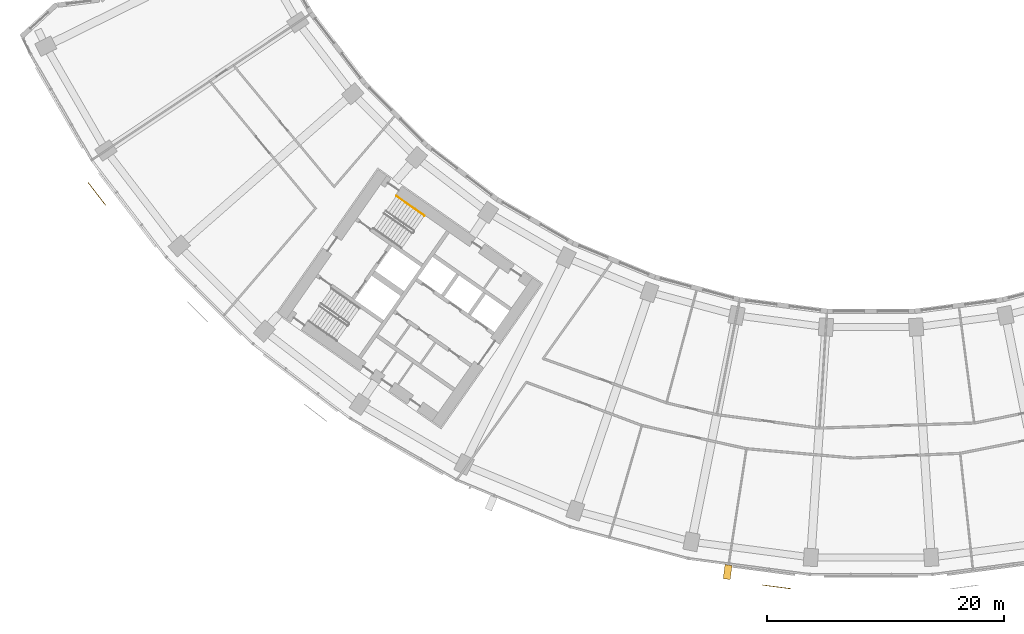
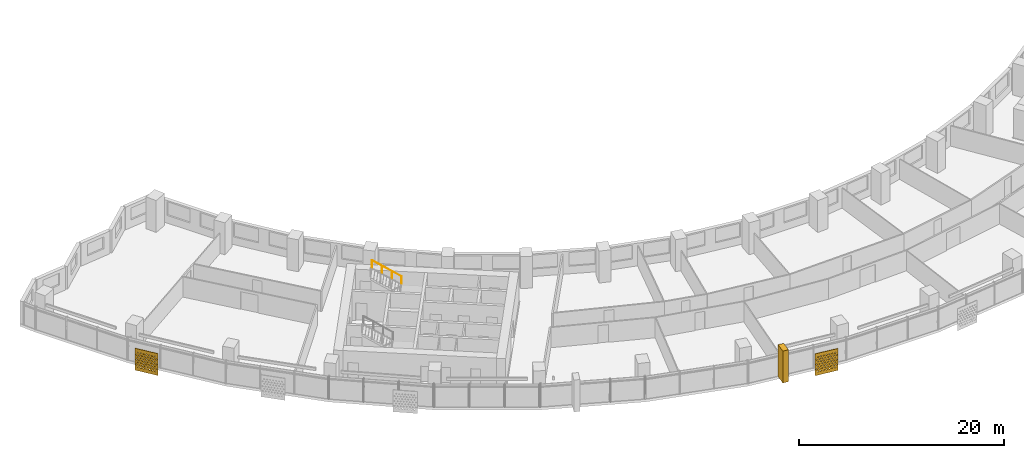
# One storey, part 26 of 30: 3 shading devices, 1 railing.
"""IFC4 building model written with IfcOpenShell, lengths in metres."""

from ifc_helpers import new_model, si_unit, direction, frame, origin, origin_2d, place, context, subcontext, project, spatial, polyline, circle, outline, extrude, material, material_profile, profile_set, type_object, element, save


model = new_model("IFC4")

# Units and contexts
model_context = context("Model", 3, precision=1e-05, world=origin(), true_north=direction((0.0, 1.0)))
body_context = subcontext(model_context, "Body", "Model", "MODEL_VIEW")
ifc_project = project(units=[si_unit("LENGTHUNIT", "METRE"), si_unit("AREAUNIT", "SQUARE_METRE"), si_unit("VOLUMEUNIT", "CUBIC_METRE"), si_unit("PLANEANGLEUNIT", "RADIAN"), si_unit("MASSUNIT", "GRAM", prefix="KILO")], contexts=[model_context])

# Site, building, storey
site_placement = place(None, origin())
site = spatial("IfcSite", under=ifc_project, at=site_placement, CompositionType="ELEMENT")
building_placement = place(site_placement, origin())
building = spatial("IfcBuilding", under=site, at=building_placement, Name="Qamariyya Broadcast Tower", CompositionType="ELEMENT")
storey_placement = place(building_placement, frame((0.0, 0.0, 98.699951171875)))
storey = spatial("IfcBuildingStorey", under=building, at=storey_placement, Name="L21", CompositionType="ELEMENT", Elevation=98.699951171875)

# Shading devices
ifc_material_1 = material(Name="Steel S355 powder coated deep red", Category="steel")
shading_device_type_1 = type_object("IfcShadingDeviceType", Name="Deep red frame, powder coated steel box section", PredefinedType="USERDEFINED", material=ifc_material_1)
shading_device_1_placement = place(storey_placement, origin())
element("IfcShadingDevice", 1, at=shading_device_1_placement, inside=storey, type_object=shading_device_type_1, Name="e-frm-B2-F1-postb-L21", ObjectType="FRAME", PredefinedType="USERDEFINED", context=body_context, shape_type="SweptSolid", body=[
    extrude(outline(polyline([(-12.340087890625, -78.1884765625), (-12.49658203125, -79.378173828125), (-11.90185546875, -79.45654296875), (-11.7451171875, -78.266845703125), (-12.340087890625, -78.1884765625)])), origin(), (0.0, 0.0, 1.0), 3.800048828125),
])
ifc_material_2 = material(Name="Perforated glazed terracotta", Category="masonry")
ifc_material_profile = material_profile(ifc_material_2, outline(polyline([(-1.199951171875, -1.300048828125), (1.199951171875, -1.300048828125), (1.199951171875, 1.300048828125), (-1.199951171875, 1.300048828125), (-1.199951171875, -1.300048828125)]), holes=[polyline([(-0.81494140625, -0.86669921875), (-0.89990234375, -0.78173828125), (-0.985107421875, -0.86669921875), (-0.89990234375, -0.95166015625), (-0.81494140625, -0.86669921875)]), polyline([(-0.514892578125, -0.86669921875), (-0.60009765625, -0.78173828125), (-0.68505859375, -0.86669921875), (-0.60009765625, -0.95166015625), (-0.514892578125, -0.86669921875)]), polyline([(-0.215087890625, -0.86669921875), (-0.300048828125, -0.78173828125), (-0.385009765625, -0.86669921875), (-0.300048828125, -0.95166015625), (-0.215087890625, -0.86669921875)]), polyline([(0.0849609375, -0.86669921875), (0.0, -0.78173828125), (-0.0849609375, -0.86669921875), (0.0, -0.95166015625), (0.0849609375, -0.86669921875)]), polyline([(0.385009765625, -0.86669921875), (0.300048828125, -0.78173828125), (0.215087890625, -0.86669921875), (0.300048828125, -0.95166015625), (0.385009765625, -0.86669921875)]), polyline([(0.68505859375, -0.86669921875), (0.60009765625, -0.78173828125), (0.514892578125, -0.86669921875), (0.60009765625, -0.95166015625), (0.68505859375, -0.86669921875)]), polyline([(0.985107421875, -0.86669921875), (0.89990234375, -0.78173828125), (0.81494140625, -0.86669921875), (0.89990234375, -0.95166015625), (0.985107421875, -0.86669921875)]), polyline([(-0.965087890625, -0.577880859375), (-1.050048828125, -0.49267578125), (-1.135009765625, -0.577880859375), (-1.050048828125, -0.662841796875), (-0.965087890625, -0.577880859375)]), polyline([(-0.6650390625, -0.577880859375), (-0.75, -0.49267578125), (-0.8349609375, -0.577880859375), (-0.75, -0.662841796875), (-0.6650390625, -0.577880859375)]), polyline([(-0.364990234375, -0.577880859375), (-0.449951171875, -0.49267578125), (-0.534912109375, -0.577880859375), (-0.449951171875, -0.662841796875), (-0.364990234375, -0.577880859375)]), polyline([(-0.06494140625, -0.577880859375), (-0.14990234375, -0.49267578125), (-0.235107421875, -0.577880859375), (-0.14990234375, -0.662841796875), (-0.06494140625, -0.577880859375)]), polyline([(0.235107421875, -0.577880859375), (0.14990234375, -0.49267578125), (0.06494140625, -0.577880859375), (0.14990234375, -0.662841796875), (0.235107421875, -0.577880859375)]), polyline([(0.534912109375, -0.577880859375), (0.449951171875, -0.49267578125), (0.364990234375, -0.577880859375), (0.449951171875, -0.662841796875), (0.534912109375, -0.577880859375)]), polyline([(0.8349609375, -0.577880859375), (0.75, -0.49267578125), (0.6650390625, -0.577880859375), (0.75, -0.662841796875), (0.8349609375, -0.577880859375)]), polyline([(1.135009765625, -0.577880859375), (1.050048828125, -0.49267578125), (0.965087890625, -0.577880859375), (1.050048828125, -0.662841796875), (1.135009765625, -0.577880859375)]), polyline([(-0.81494140625, -0.288818359375), (-0.89990234375, -0.203857421875), (-0.985107421875, -0.288818359375), (-0.89990234375, -0.373779296875), (-0.81494140625, -0.288818359375)]), polyline([(-0.514892578125, -0.288818359375), (-0.60009765625, -0.203857421875), (-0.68505859375, -0.288818359375), (-0.60009765625, -0.373779296875), (-0.514892578125, -0.288818359375)]), polyline([(-0.215087890625, -0.288818359375), (-0.300048828125, -0.203857421875), (-0.385009765625, -0.288818359375), (-0.300048828125, -0.373779296875), (-0.215087890625, -0.288818359375)]), polyline([(0.0849609375, -0.288818359375), (0.0, -0.203857421875), (-0.0849609375, -0.288818359375), (0.0, -0.373779296875), (0.0849609375, -0.288818359375)]), polyline([(0.385009765625, -0.288818359375), (0.300048828125, -0.203857421875), (0.215087890625, -0.288818359375), (0.300048828125, -0.373779296875), (0.385009765625, -0.288818359375)]), polyline([(0.68505859375, -0.288818359375), (0.60009765625, -0.203857421875), (0.514892578125, -0.288818359375), (0.60009765625, -0.373779296875), (0.68505859375, -0.288818359375)]), polyline([(0.985107421875, -0.288818359375), (0.89990234375, -0.203857421875), (0.81494140625, -0.288818359375), (0.89990234375, -0.373779296875), (0.985107421875, -0.288818359375)]), polyline([(-0.965087890625, 0.0), (-1.050048828125, 0.0849609375), (-1.135009765625, 0.0), (-1.050048828125, -0.0849609375), (-0.965087890625, 0.0)]), polyline([(-0.6650390625, 0.0), (-0.75, 0.0849609375), (-0.8349609375, 0.0), (-0.75, -0.0849609375), (-0.6650390625, 0.0)]), polyline([(-0.364990234375, 0.0), (-0.449951171875, 0.0849609375), (-0.534912109375, 0.0), (-0.449951171875, -0.0849609375), (-0.364990234375, 0.0)]), polyline([(-0.06494140625, 0.0), (-0.14990234375, 0.0849609375), (-0.235107421875, 0.0), (-0.14990234375, -0.0849609375), (-0.06494140625, 0.0)]), polyline([(0.235107421875, 0.0), (0.14990234375, 0.0849609375), (0.06494140625, 0.0), (0.14990234375, -0.0849609375), (0.235107421875, 0.0)]), polyline([(0.534912109375, 0.0), (0.449951171875, 0.0849609375), (0.364990234375, 0.0), (0.449951171875, -0.0849609375), (0.534912109375, 0.0)]), polyline([(0.8349609375, 0.0), (0.75, 0.0849609375), (0.6650390625, 0.0), (0.75, -0.0849609375), (0.8349609375, 0.0)]), polyline([(1.135009765625, 0.0), (1.050048828125, 0.0849609375), (0.965087890625, 0.0), (1.050048828125, -0.0849609375), (1.135009765625, 0.0)]), polyline([(-0.81494140625, 0.288818359375), (-0.89990234375, 0.373779296875), (-0.985107421875, 0.288818359375), (-0.89990234375, 0.203857421875), (-0.81494140625, 0.288818359375)]), polyline([(-0.514892578125, 0.288818359375), (-0.60009765625, 0.373779296875), (-0.68505859375, 0.288818359375), (-0.60009765625, 0.203857421875), (-0.514892578125, 0.288818359375)]), polyline([(-0.215087890625, 0.288818359375), (-0.300048828125, 0.373779296875), (-0.385009765625, 0.288818359375), (-0.300048828125, 0.203857421875), (-0.215087890625, 0.288818359375)]), polyline([(0.0849609375, 0.288818359375), (0.0, 0.373779296875), (-0.0849609375, 0.288818359375), (0.0, 0.203857421875), (0.0849609375, 0.288818359375)]), polyline([(0.385009765625, 0.288818359375), (0.300048828125, 0.373779296875), (0.215087890625, 0.288818359375), (0.300048828125, 0.203857421875), (0.385009765625, 0.288818359375)]), polyline([(0.68505859375, 0.288818359375), (0.60009765625, 0.373779296875), (0.514892578125, 0.288818359375), (0.60009765625, 0.203857421875), (0.68505859375, 0.288818359375)]), polyline([(0.985107421875, 0.288818359375), (0.89990234375, 0.373779296875), (0.81494140625, 0.288818359375), (0.89990234375, 0.203857421875), (0.985107421875, 0.288818359375)]), polyline([(-0.965087890625, 0.577880859375), (-1.050048828125, 0.662841796875), (-1.135009765625, 0.577880859375), (-1.050048828125, 0.49267578125), (-0.965087890625, 0.577880859375)]), polyline([(-0.6650390625, 0.577880859375), (-0.75, 0.662841796875), (-0.8349609375, 0.577880859375), (-0.75, 0.49267578125), (-0.6650390625, 0.577880859375)]), polyline([(-0.364990234375, 0.577880859375), (-0.449951171875, 0.662841796875), (-0.534912109375, 0.577880859375), (-0.449951171875, 0.49267578125), (-0.364990234375, 0.577880859375)]), polyline([(-0.06494140625, 0.577880859375), (-0.14990234375, 0.662841796875), (-0.235107421875, 0.577880859375), (-0.14990234375, 0.49267578125), (-0.06494140625, 0.577880859375)]), polyline([(0.235107421875, 0.577880859375), (0.14990234375, 0.662841796875), (0.06494140625, 0.577880859375), (0.14990234375, 0.49267578125), (0.235107421875, 0.577880859375)]), polyline([(0.534912109375, 0.577880859375), (0.449951171875, 0.662841796875), (0.364990234375, 0.577880859375), (0.449951171875, 0.49267578125), (0.534912109375, 0.577880859375)]), polyline([(0.8349609375, 0.577880859375), (0.75, 0.662841796875), (0.6650390625, 0.577880859375), (0.75, 0.49267578125), (0.8349609375, 0.577880859375)]), polyline([(1.135009765625, 0.577880859375), (1.050048828125, 0.662841796875), (0.965087890625, 0.577880859375), (1.050048828125, 0.49267578125), (1.135009765625, 0.577880859375)]), polyline([(-0.81494140625, 0.86669921875), (-0.89990234375, 0.95166015625), (-0.985107421875, 0.86669921875), (-0.89990234375, 0.78173828125), (-0.81494140625, 0.86669921875)]), polyline([(-0.514892578125, 0.86669921875), (-0.60009765625, 0.95166015625), (-0.68505859375, 0.86669921875), (-0.60009765625, 0.78173828125), (-0.514892578125, 0.86669921875)]), polyline([(-0.215087890625, 0.86669921875), (-0.300048828125, 0.95166015625), (-0.385009765625, 0.86669921875), (-0.300048828125, 0.78173828125), (-0.215087890625, 0.86669921875)]), polyline([(0.0849609375, 0.86669921875), (0.0, 0.95166015625), (-0.0849609375, 0.86669921875), (0.0, 0.78173828125), (0.0849609375, 0.86669921875)]), polyline([(0.385009765625, 0.86669921875), (0.300048828125, 0.95166015625), (0.215087890625, 0.86669921875), (0.300048828125, 0.78173828125), (0.385009765625, 0.86669921875)]), polyline([(0.68505859375, 0.86669921875), (0.60009765625, 0.95166015625), (0.514892578125, 0.86669921875), (0.60009765625, 0.78173828125), (0.68505859375, 0.86669921875)]), polyline([(0.985107421875, 0.86669921875), (0.89990234375, 0.95166015625), (0.81494140625, 0.86669921875), (0.89990234375, 0.78173828125), (0.985107421875, 0.86669921875)])]))
ifc_profile_set = profile_set([ifc_material_profile], Name="Perforated glazed terracotta")
shading_device_type_2 = type_object("IfcShadingDeviceType", Name="Perforated terracotta screen 2400 x 2600", PredefinedType="USERDEFINED", material=ifc_profile_set)
shading_device_2_placement = place(storey_placement, frame((-65.392822265625, -46.85009765625, 1.35009765625), z_axis=(-0.792623989105, -0.60971076085, 0.0), x_axis=(0.60971076085, -0.792623989105, 0.0)))
element("IfcShadingDevice", 2, at=shading_device_2_placement, inside=storey, type_object=shading_device_type_2, Name="e-scr-L21-02-0", ObjectType="SCREEN", PredefinedType="USERDEFINED", context=body_context, shape_type="SweptSolid", body=[
    extrude(outline(polyline([(-1.199951171875, -1.300048828125), (1.199951171875, -1.300048828125), (1.199951171875, 1.300048828125), (-1.199951171875, 1.300048828125), (-1.199951171875, -1.300048828125)]), holes=[polyline([(-0.81494140625, -0.86669921875), (-0.89990234375, -0.78173828125), (-0.985107421875, -0.86669921875), (-0.89990234375, -0.95166015625), (-0.81494140625, -0.86669921875)]), polyline([(-0.514892578125, -0.86669921875), (-0.60009765625, -0.78173828125), (-0.68505859375, -0.86669921875), (-0.60009765625, -0.95166015625), (-0.514892578125, -0.86669921875)]), polyline([(-0.215087890625, -0.86669921875), (-0.300048828125, -0.78173828125), (-0.385009765625, -0.86669921875), (-0.300048828125, -0.95166015625), (-0.215087890625, -0.86669921875)]), polyline([(0.0849609375, -0.86669921875), (0.0, -0.78173828125), (-0.0849609375, -0.86669921875), (0.0, -0.95166015625), (0.0849609375, -0.86669921875)]), polyline([(0.385009765625, -0.86669921875), (0.300048828125, -0.78173828125), (0.215087890625, -0.86669921875), (0.300048828125, -0.95166015625), (0.385009765625, -0.86669921875)]), polyline([(0.68505859375, -0.86669921875), (0.60009765625, -0.78173828125), (0.514892578125, -0.86669921875), (0.60009765625, -0.95166015625), (0.68505859375, -0.86669921875)]), polyline([(0.985107421875, -0.86669921875), (0.89990234375, -0.78173828125), (0.81494140625, -0.86669921875), (0.89990234375, -0.95166015625), (0.985107421875, -0.86669921875)]), polyline([(-0.965087890625, -0.577880859375), (-1.050048828125, -0.49267578125), (-1.135009765625, -0.577880859375), (-1.050048828125, -0.662841796875), (-0.965087890625, -0.577880859375)]), polyline([(-0.6650390625, -0.577880859375), (-0.75, -0.49267578125), (-0.8349609375, -0.577880859375), (-0.75, -0.662841796875), (-0.6650390625, -0.577880859375)]), polyline([(-0.364990234375, -0.577880859375), (-0.449951171875, -0.49267578125), (-0.534912109375, -0.577880859375), (-0.449951171875, -0.662841796875), (-0.364990234375, -0.577880859375)]), polyline([(-0.06494140625, -0.577880859375), (-0.14990234375, -0.49267578125), (-0.235107421875, -0.577880859375), (-0.14990234375, -0.662841796875), (-0.06494140625, -0.577880859375)]), polyline([(0.235107421875, -0.577880859375), (0.14990234375, -0.49267578125), (0.06494140625, -0.577880859375), (0.14990234375, -0.662841796875), (0.235107421875, -0.577880859375)]), polyline([(0.534912109375, -0.577880859375), (0.449951171875, -0.49267578125), (0.364990234375, -0.577880859375), (0.449951171875, -0.662841796875), (0.534912109375, -0.577880859375)]), polyline([(0.8349609375, -0.577880859375), (0.75, -0.49267578125), (0.6650390625, -0.577880859375), (0.75, -0.662841796875), (0.8349609375, -0.577880859375)]), polyline([(1.135009765625, -0.577880859375), (1.050048828125, -0.49267578125), (0.965087890625, -0.577880859375), (1.050048828125, -0.662841796875), (1.135009765625, -0.577880859375)]), polyline([(-0.81494140625, -0.288818359375), (-0.89990234375, -0.203857421875), (-0.985107421875, -0.288818359375), (-0.89990234375, -0.373779296875), (-0.81494140625, -0.288818359375)]), polyline([(-0.514892578125, -0.288818359375), (-0.60009765625, -0.203857421875), (-0.68505859375, -0.288818359375), (-0.60009765625, -0.373779296875), (-0.514892578125, -0.288818359375)]), polyline([(-0.215087890625, -0.288818359375), (-0.300048828125, -0.203857421875), (-0.385009765625, -0.288818359375), (-0.300048828125, -0.373779296875), (-0.215087890625, -0.288818359375)]), polyline([(0.0849609375, -0.288818359375), (0.0, -0.203857421875), (-0.0849609375, -0.288818359375), (0.0, -0.373779296875), (0.0849609375, -0.288818359375)]), polyline([(0.385009765625, -0.288818359375), (0.300048828125, -0.203857421875), (0.215087890625, -0.288818359375), (0.300048828125, -0.373779296875), (0.385009765625, -0.288818359375)]), polyline([(0.68505859375, -0.288818359375), (0.60009765625, -0.203857421875), (0.514892578125, -0.288818359375), (0.60009765625, -0.373779296875), (0.68505859375, -0.288818359375)]), polyline([(0.985107421875, -0.288818359375), (0.89990234375, -0.203857421875), (0.81494140625, -0.288818359375), (0.89990234375, -0.373779296875), (0.985107421875, -0.288818359375)]), polyline([(-0.965087890625, 0.0), (-1.050048828125, 0.0849609375), (-1.135009765625, 0.0), (-1.050048828125, -0.0849609375), (-0.965087890625, 0.0)]), polyline([(-0.6650390625, 0.0), (-0.75, 0.0849609375), (-0.8349609375, 0.0), (-0.75, -0.0849609375), (-0.6650390625, 0.0)]), polyline([(-0.364990234375, 0.0), (-0.449951171875, 0.0849609375), (-0.534912109375, 0.0), (-0.449951171875, -0.0849609375), (-0.364990234375, 0.0)]), polyline([(-0.06494140625, 0.0), (-0.14990234375, 0.0849609375), (-0.235107421875, 0.0), (-0.14990234375, -0.0849609375), (-0.06494140625, 0.0)]), polyline([(0.235107421875, 0.0), (0.14990234375, 0.0849609375), (0.06494140625, 0.0), (0.14990234375, -0.0849609375), (0.235107421875, 0.0)]), polyline([(0.534912109375, 0.0), (0.449951171875, 0.0849609375), (0.364990234375, 0.0), (0.449951171875, -0.0849609375), (0.534912109375, 0.0)]), polyline([(0.8349609375, 0.0), (0.75, 0.0849609375), (0.6650390625, 0.0), (0.75, -0.0849609375), (0.8349609375, 0.0)]), polyline([(1.135009765625, 0.0), (1.050048828125, 0.0849609375), (0.965087890625, 0.0), (1.050048828125, -0.0849609375), (1.135009765625, 0.0)]), polyline([(-0.81494140625, 0.288818359375), (-0.89990234375, 0.373779296875), (-0.985107421875, 0.288818359375), (-0.89990234375, 0.203857421875), (-0.81494140625, 0.288818359375)]), polyline([(-0.514892578125, 0.288818359375), (-0.60009765625, 0.373779296875), (-0.68505859375, 0.288818359375), (-0.60009765625, 0.203857421875), (-0.514892578125, 0.288818359375)]), polyline([(-0.215087890625, 0.288818359375), (-0.300048828125, 0.373779296875), (-0.385009765625, 0.288818359375), (-0.300048828125, 0.203857421875), (-0.215087890625, 0.288818359375)]), polyline([(0.0849609375, 0.288818359375), (0.0, 0.373779296875), (-0.0849609375, 0.288818359375), (0.0, 0.203857421875), (0.0849609375, 0.288818359375)]), polyline([(0.385009765625, 0.288818359375), (0.300048828125, 0.373779296875), (0.215087890625, 0.288818359375), (0.300048828125, 0.203857421875), (0.385009765625, 0.288818359375)]), polyline([(0.68505859375, 0.288818359375), (0.60009765625, 0.373779296875), (0.514892578125, 0.288818359375), (0.60009765625, 0.203857421875), (0.68505859375, 0.288818359375)]), polyline([(0.985107421875, 0.288818359375), (0.89990234375, 0.373779296875), (0.81494140625, 0.288818359375), (0.89990234375, 0.203857421875), (0.985107421875, 0.288818359375)]), polyline([(-0.965087890625, 0.577880859375), (-1.050048828125, 0.662841796875), (-1.135009765625, 0.577880859375), (-1.050048828125, 0.49267578125), (-0.965087890625, 0.577880859375)]), polyline([(-0.6650390625, 0.577880859375), (-0.75, 0.662841796875), (-0.8349609375, 0.577880859375), (-0.75, 0.49267578125), (-0.6650390625, 0.577880859375)]), polyline([(-0.364990234375, 0.577880859375), (-0.449951171875, 0.662841796875), (-0.534912109375, 0.577880859375), (-0.449951171875, 0.49267578125), (-0.364990234375, 0.577880859375)]), polyline([(-0.06494140625, 0.577880859375), (-0.14990234375, 0.662841796875), (-0.235107421875, 0.577880859375), (-0.14990234375, 0.49267578125), (-0.06494140625, 0.577880859375)]), polyline([(0.235107421875, 0.577880859375), (0.14990234375, 0.662841796875), (0.06494140625, 0.577880859375), (0.14990234375, 0.49267578125), (0.235107421875, 0.577880859375)]), polyline([(0.534912109375, 0.577880859375), (0.449951171875, 0.662841796875), (0.364990234375, 0.577880859375), (0.449951171875, 0.49267578125), (0.534912109375, 0.577880859375)]), polyline([(0.8349609375, 0.577880859375), (0.75, 0.662841796875), (0.6650390625, 0.577880859375), (0.75, 0.49267578125), (0.8349609375, 0.577880859375)]), polyline([(1.135009765625, 0.577880859375), (1.050048828125, 0.662841796875), (0.965087890625, 0.577880859375), (1.050048828125, 0.49267578125), (1.135009765625, 0.577880859375)]), polyline([(-0.81494140625, 0.86669921875), (-0.89990234375, 0.95166015625), (-0.985107421875, 0.86669921875), (-0.89990234375, 0.78173828125), (-0.81494140625, 0.86669921875)]), polyline([(-0.514892578125, 0.86669921875), (-0.60009765625, 0.95166015625), (-0.68505859375, 0.86669921875), (-0.60009765625, 0.78173828125), (-0.514892578125, 0.86669921875)]), polyline([(-0.215087890625, 0.86669921875), (-0.300048828125, 0.95166015625), (-0.385009765625, 0.86669921875), (-0.300048828125, 0.78173828125), (-0.215087890625, 0.86669921875)]), polyline([(0.0849609375, 0.86669921875), (0.0, 0.95166015625), (-0.0849609375, 0.86669921875), (0.0, 0.78173828125), (0.0849609375, 0.86669921875)]), polyline([(0.385009765625, 0.86669921875), (0.300048828125, 0.95166015625), (0.215087890625, 0.86669921875), (0.300048828125, 0.78173828125), (0.385009765625, 0.86669921875)]), polyline([(0.68505859375, 0.86669921875), (0.60009765625, 0.95166015625), (0.514892578125, 0.86669921875), (0.60009765625, 0.78173828125), (0.68505859375, 0.86669921875)]), polyline([(0.985107421875, 0.86669921875), (0.89990234375, 0.95166015625), (0.81494140625, 0.86669921875), (0.89990234375, 0.78173828125), (0.985107421875, 0.86669921875)])]), origin(), (0.0, 0.0, 1.0), 0.06005859375),
])
shading_device_3_placement = place(storey_placement, frame((-7.969482421875, -80.044677734375, 1.35009765625), z_axis=(-0.1300340368, -0.991509530601, 0.0), x_axis=(0.991509530601, -0.1300340368, 0.0)))
element("IfcShadingDevice", 3, at=shading_device_3_placement, inside=storey, type_object=shading_device_type_2, Name="e-scr-L21-08-2", ObjectType="SCREEN", PredefinedType="USERDEFINED", context=body_context, shape_type="SweptSolid", body=[
    extrude(outline(polyline([(-1.199951171875, -1.300048828125), (1.199951171875, -1.300048828125), (1.199951171875, 1.300048828125), (-1.199951171875, 1.300048828125), (-1.199951171875, -1.300048828125)]), holes=[polyline([(-0.81494140625, -0.86669921875), (-0.89990234375, -0.78173828125), (-0.985107421875, -0.86669921875), (-0.89990234375, -0.95166015625), (-0.81494140625, -0.86669921875)]), polyline([(-0.514892578125, -0.86669921875), (-0.60009765625, -0.78173828125), (-0.68505859375, -0.86669921875), (-0.60009765625, -0.95166015625), (-0.514892578125, -0.86669921875)]), polyline([(-0.215087890625, -0.86669921875), (-0.300048828125, -0.78173828125), (-0.385009765625, -0.86669921875), (-0.300048828125, -0.95166015625), (-0.215087890625, -0.86669921875)]), polyline([(0.0849609375, -0.86669921875), (0.0, -0.78173828125), (-0.0849609375, -0.86669921875), (0.0, -0.95166015625), (0.0849609375, -0.86669921875)]), polyline([(0.385009765625, -0.86669921875), (0.300048828125, -0.78173828125), (0.215087890625, -0.86669921875), (0.300048828125, -0.95166015625), (0.385009765625, -0.86669921875)]), polyline([(0.68505859375, -0.86669921875), (0.60009765625, -0.78173828125), (0.514892578125, -0.86669921875), (0.60009765625, -0.95166015625), (0.68505859375, -0.86669921875)]), polyline([(0.985107421875, -0.86669921875), (0.89990234375, -0.78173828125), (0.81494140625, -0.86669921875), (0.89990234375, -0.95166015625), (0.985107421875, -0.86669921875)]), polyline([(-0.965087890625, -0.577880859375), (-1.050048828125, -0.49267578125), (-1.135009765625, -0.577880859375), (-1.050048828125, -0.662841796875), (-0.965087890625, -0.577880859375)]), polyline([(-0.6650390625, -0.577880859375), (-0.75, -0.49267578125), (-0.8349609375, -0.577880859375), (-0.75, -0.662841796875), (-0.6650390625, -0.577880859375)]), polyline([(-0.364990234375, -0.577880859375), (-0.449951171875, -0.49267578125), (-0.534912109375, -0.577880859375), (-0.449951171875, -0.662841796875), (-0.364990234375, -0.577880859375)]), polyline([(-0.06494140625, -0.577880859375), (-0.14990234375, -0.49267578125), (-0.235107421875, -0.577880859375), (-0.14990234375, -0.662841796875), (-0.06494140625, -0.577880859375)]), polyline([(0.235107421875, -0.577880859375), (0.14990234375, -0.49267578125), (0.06494140625, -0.577880859375), (0.14990234375, -0.662841796875), (0.235107421875, -0.577880859375)]), polyline([(0.534912109375, -0.577880859375), (0.449951171875, -0.49267578125), (0.364990234375, -0.577880859375), (0.449951171875, -0.662841796875), (0.534912109375, -0.577880859375)]), polyline([(0.8349609375, -0.577880859375), (0.75, -0.49267578125), (0.6650390625, -0.577880859375), (0.75, -0.662841796875), (0.8349609375, -0.577880859375)]), polyline([(1.135009765625, -0.577880859375), (1.050048828125, -0.49267578125), (0.965087890625, -0.577880859375), (1.050048828125, -0.662841796875), (1.135009765625, -0.577880859375)]), polyline([(-0.81494140625, -0.288818359375), (-0.89990234375, -0.203857421875), (-0.985107421875, -0.288818359375), (-0.89990234375, -0.373779296875), (-0.81494140625, -0.288818359375)]), polyline([(-0.514892578125, -0.288818359375), (-0.60009765625, -0.203857421875), (-0.68505859375, -0.288818359375), (-0.60009765625, -0.373779296875), (-0.514892578125, -0.288818359375)]), polyline([(-0.215087890625, -0.288818359375), (-0.300048828125, -0.203857421875), (-0.385009765625, -0.288818359375), (-0.300048828125, -0.373779296875), (-0.215087890625, -0.288818359375)]), polyline([(0.0849609375, -0.288818359375), (0.0, -0.203857421875), (-0.0849609375, -0.288818359375), (0.0, -0.373779296875), (0.0849609375, -0.288818359375)]), polyline([(0.385009765625, -0.288818359375), (0.300048828125, -0.203857421875), (0.215087890625, -0.288818359375), (0.300048828125, -0.373779296875), (0.385009765625, -0.288818359375)]), polyline([(0.68505859375, -0.288818359375), (0.60009765625, -0.203857421875), (0.514892578125, -0.288818359375), (0.60009765625, -0.373779296875), (0.68505859375, -0.288818359375)]), polyline([(0.985107421875, -0.288818359375), (0.89990234375, -0.203857421875), (0.81494140625, -0.288818359375), (0.89990234375, -0.373779296875), (0.985107421875, -0.288818359375)]), polyline([(-0.965087890625, 0.0), (-1.050048828125, 0.0849609375), (-1.135009765625, 0.0), (-1.050048828125, -0.0849609375), (-0.965087890625, 0.0)]), polyline([(-0.6650390625, 0.0), (-0.75, 0.0849609375), (-0.8349609375, 0.0), (-0.75, -0.0849609375), (-0.6650390625, 0.0)]), polyline([(-0.364990234375, 0.0), (-0.449951171875, 0.0849609375), (-0.534912109375, 0.0), (-0.449951171875, -0.0849609375), (-0.364990234375, 0.0)]), polyline([(-0.06494140625, 0.0), (-0.14990234375, 0.0849609375), (-0.235107421875, 0.0), (-0.14990234375, -0.0849609375), (-0.06494140625, 0.0)]), polyline([(0.235107421875, 0.0), (0.14990234375, 0.0849609375), (0.06494140625, 0.0), (0.14990234375, -0.0849609375), (0.235107421875, 0.0)]), polyline([(0.534912109375, 0.0), (0.449951171875, 0.0849609375), (0.364990234375, 0.0), (0.449951171875, -0.0849609375), (0.534912109375, 0.0)]), polyline([(0.8349609375, 0.0), (0.75, 0.0849609375), (0.6650390625, 0.0), (0.75, -0.0849609375), (0.8349609375, 0.0)]), polyline([(1.135009765625, 0.0), (1.050048828125, 0.0849609375), (0.965087890625, 0.0), (1.050048828125, -0.0849609375), (1.135009765625, 0.0)]), polyline([(-0.81494140625, 0.288818359375), (-0.89990234375, 0.373779296875), (-0.985107421875, 0.288818359375), (-0.89990234375, 0.203857421875), (-0.81494140625, 0.288818359375)]), polyline([(-0.514892578125, 0.288818359375), (-0.60009765625, 0.373779296875), (-0.68505859375, 0.288818359375), (-0.60009765625, 0.203857421875), (-0.514892578125, 0.288818359375)]), polyline([(-0.215087890625, 0.288818359375), (-0.300048828125, 0.373779296875), (-0.385009765625, 0.288818359375), (-0.300048828125, 0.203857421875), (-0.215087890625, 0.288818359375)]), polyline([(0.0849609375, 0.288818359375), (0.0, 0.373779296875), (-0.0849609375, 0.288818359375), (0.0, 0.203857421875), (0.0849609375, 0.288818359375)]), polyline([(0.385009765625, 0.288818359375), (0.300048828125, 0.373779296875), (0.215087890625, 0.288818359375), (0.300048828125, 0.203857421875), (0.385009765625, 0.288818359375)]), polyline([(0.68505859375, 0.288818359375), (0.60009765625, 0.373779296875), (0.514892578125, 0.288818359375), (0.60009765625, 0.203857421875), (0.68505859375, 0.288818359375)]), polyline([(0.985107421875, 0.288818359375), (0.89990234375, 0.373779296875), (0.81494140625, 0.288818359375), (0.89990234375, 0.203857421875), (0.985107421875, 0.288818359375)]), polyline([(-0.965087890625, 0.577880859375), (-1.050048828125, 0.662841796875), (-1.135009765625, 0.577880859375), (-1.050048828125, 0.49267578125), (-0.965087890625, 0.577880859375)]), polyline([(-0.6650390625, 0.577880859375), (-0.75, 0.662841796875), (-0.8349609375, 0.577880859375), (-0.75, 0.49267578125), (-0.6650390625, 0.577880859375)]), polyline([(-0.364990234375, 0.577880859375), (-0.449951171875, 0.662841796875), (-0.534912109375, 0.577880859375), (-0.449951171875, 0.49267578125), (-0.364990234375, 0.577880859375)]), polyline([(-0.06494140625, 0.577880859375), (-0.14990234375, 0.662841796875), (-0.235107421875, 0.577880859375), (-0.14990234375, 0.49267578125), (-0.06494140625, 0.577880859375)]), polyline([(0.235107421875, 0.577880859375), (0.14990234375, 0.662841796875), (0.06494140625, 0.577880859375), (0.14990234375, 0.49267578125), (0.235107421875, 0.577880859375)]), polyline([(0.534912109375, 0.577880859375), (0.449951171875, 0.662841796875), (0.364990234375, 0.577880859375), (0.449951171875, 0.49267578125), (0.534912109375, 0.577880859375)]), polyline([(0.8349609375, 0.577880859375), (0.75, 0.662841796875), (0.6650390625, 0.577880859375), (0.75, 0.49267578125), (0.8349609375, 0.577880859375)]), polyline([(1.135009765625, 0.577880859375), (1.050048828125, 0.662841796875), (0.965087890625, 0.577880859375), (1.050048828125, 0.49267578125), (1.135009765625, 0.577880859375)]), polyline([(-0.81494140625, 0.86669921875), (-0.89990234375, 0.95166015625), (-0.985107421875, 0.86669921875), (-0.89990234375, 0.78173828125), (-0.81494140625, 0.86669921875)]), polyline([(-0.514892578125, 0.86669921875), (-0.60009765625, 0.95166015625), (-0.68505859375, 0.86669921875), (-0.60009765625, 0.78173828125), (-0.514892578125, 0.86669921875)]), polyline([(-0.215087890625, 0.86669921875), (-0.300048828125, 0.95166015625), (-0.385009765625, 0.86669921875), (-0.300048828125, 0.78173828125), (-0.215087890625, 0.86669921875)]), polyline([(0.0849609375, 0.86669921875), (0.0, 0.95166015625), (-0.0849609375, 0.86669921875), (0.0, 0.78173828125), (0.0849609375, 0.86669921875)]), polyline([(0.385009765625, 0.86669921875), (0.300048828125, 0.95166015625), (0.215087890625, 0.86669921875), (0.300048828125, 0.78173828125), (0.385009765625, 0.86669921875)]), polyline([(0.68505859375, 0.86669921875), (0.60009765625, 0.95166015625), (0.514892578125, 0.86669921875), (0.60009765625, 0.78173828125), (0.68505859375, 0.86669921875)]), polyline([(0.985107421875, 0.86669921875), (0.89990234375, 0.95166015625), (0.81494140625, 0.86669921875), (0.89990234375, 0.78173828125), (0.985107421875, 0.86669921875)])]), origin(), (0.0, 0.0, 1.0), 0.06005859375),
])

# Railing
ifc_material_3 = material(Name="Stainless steel", Category="steel")
railing_type = type_object("IfcRailingType", Name="Stair handrail", PredefinedType="HANDRAIL", material=ifc_material_3)
railing_placement = place(storey_placement, frame((-37.73876953125, -48.7138671875, 2.07275390625)))
element("IfcRailing", 4, at=railing_placement, inside=storey, type_object=railing_type, Name="L21 ST-W2 stair handrail 2", PredefinedType="HANDRAIL", context=body_context, shape_type="SweptSolid", body=[
    extrude(circle(Radius=0.02392578125, at=origin_2d()), frame((0.0, 0.0, 0.8759765625), z_axis=(-0.703745009021, 0.492838488332, 0.511715923826), x_axis=(-0.573631830683, -0.819113253969, 0.0)), (0.0, 0.0, 1.0), 3.37548828125),
    extrude(circle(Radius=0.02099609375, at=origin_2d()), origin(), (0.0, 0.0, 1.0), 0.851806640625),
    extrude(circle(Radius=0.02099609375, at=origin_2d()), frame((-0.791748046875, 0.554443359375, 0.57568359375)), (0.0, 0.0, 1.0), 0.851806640625),
    extrude(circle(Radius=0.02099609375, at=origin_2d()), frame((-1.583740234375, 1.109130859375, 1.151611328125)), (0.0, 0.0, 1.0), 0.851806640625),
    extrude(circle(Radius=0.02099609375, at=origin_2d()), frame((-2.37548828125, 1.66357421875, 1.727294921875)), (0.0, 0.0, 1.0), 0.851806640625),
])

save(model, "model.ifc")
